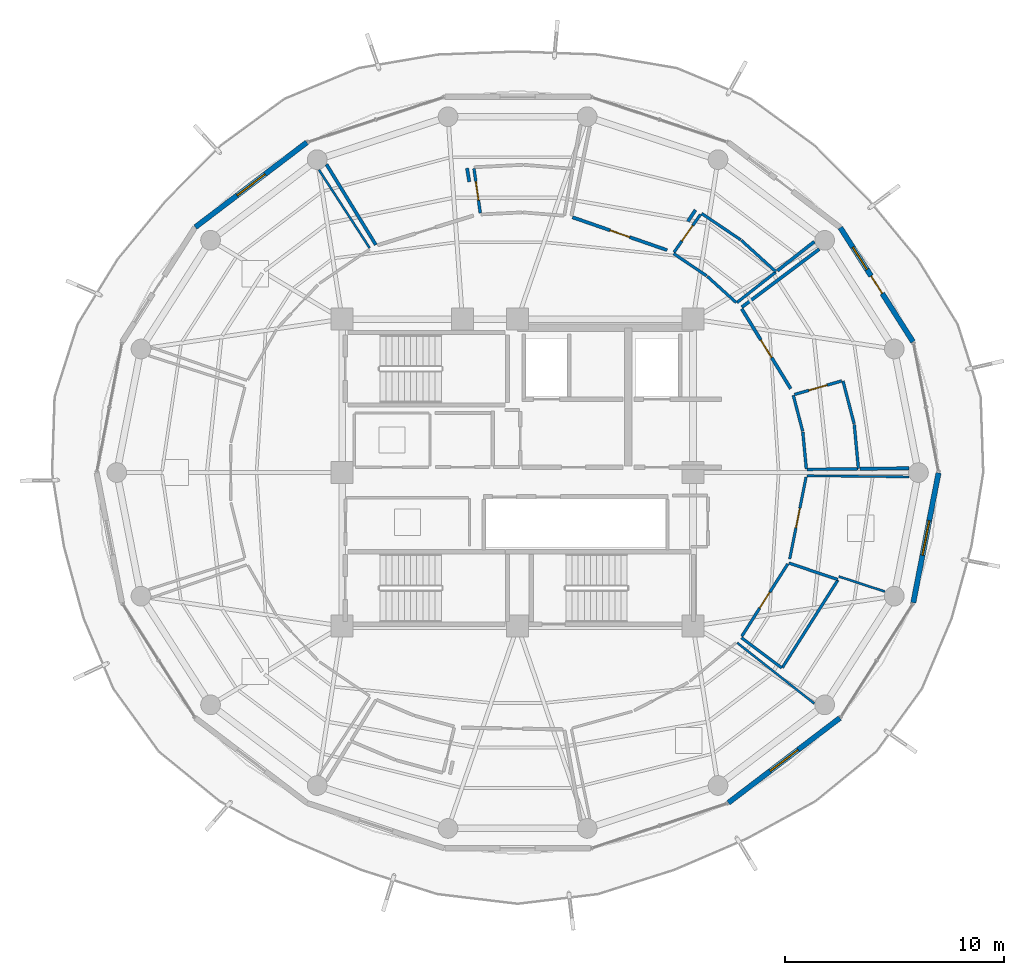
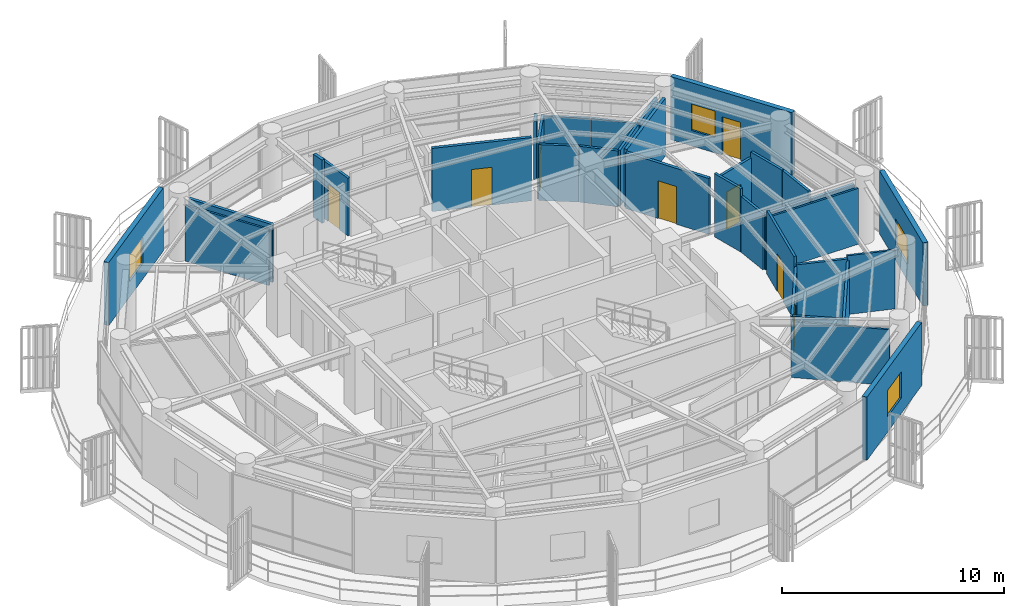
# One storey, part 18 of 23: 34 walls, 8 doors, 4 windows, 12 openings.
"""IFC4 building model written with IfcOpenShell, lengths in metres."""

from ifc_helpers import new_model, si_unit, direction, frame, frame_2d, origin, place, context, subcontext, project, spatial, rectangle, extrude, material, layer, layer_set, type_object, element, fill, save


model = new_model("IFC4")

# Units and contexts
model_context = context("Model", 3, precision=1e-05, world=origin(), true_north=direction((0.0, 1.0)))
body_context = subcontext(model_context, "Body", "Model", "MODEL_VIEW")
ifc_project = project(units=[si_unit("LENGTHUNIT", "METRE"), si_unit("AREAUNIT", "SQUARE_METRE"), si_unit("VOLUMEUNIT", "CUBIC_METRE"), si_unit("PLANEANGLEUNIT", "RADIAN"), si_unit("MASSUNIT", "GRAM", prefix="KILO")], contexts=[model_context])

# Site, building, storey
site_placement = place(None, origin())
site = spatial("IfcSite", under=ifc_project, at=site_placement, CompositionType="ELEMENT")
building_placement = place(site_placement, origin())
building = spatial("IfcBuilding", under=site, at=building_placement, Name="Kelanora Arch Commons", CompositionType="ELEMENT")
storey_placement = place(building_placement, frame((0.0, 0.0, 252.449951171875)))
storey = spatial("IfcBuildingStorey", under=building, at=storey_placement, Name="L64", CompositionType="ELEMENT", Elevation=252.449951171875)

# Wall, opening, door
ifc_material_1 = material(Name="Autoclaved aerated concrete blockwork with fire plaster", Category="masonry")
ifc_layer_1 = layer(ifc_material_1, 0.14990234375)
ifc_layer_set_1 = layer_set([ifc_layer_1], Name="Autoclaved aerated concrete blockwork with fire plaster")
wall_type_1 = type_object("IfcWallType", Name="W-COMP-150", PredefinedType="PARTITIONING", material=ifc_layer_set_1)
wall_1_placement = place(storey_placement, frame((86.45556640625, 61.82421875, 0.0), z_axis=(0.0, 0.0, 1.0), x_axis=(-0.522665227064, 0.852538011128, 0.0)))
wall_1 = element("IfcWall", 1, at=wall_1_placement, inside=storey, type_object=wall_type_1, Name="Co-Living Studio L64-01 Entry Partition", PredefinedType="PARTITIONING", context=body_context, shape_type="SweptSolid", body=[
    extrude(rectangle(XDim=4.272705078125, YDim=0.14990234375, at=frame_2d((2.13623046875, 0.0))), origin(), (0.0, 0.0, 1.0), 3.074951171875),
])
opening_1_placement = place(wall_1_placement, frame((1.660888671875, 0.0, 0.0)))
opening_1 = element("IfcOpeningElement", 2, at=opening_1_placement, cuts=wall_1, Name="Opening D-CLU1", PredefinedType="OPENING", context=body_context, shape_type="SweptSolid", body=[
    extrude(rectangle(XDim=0.949951171875, YDim=2.080078125, at=frame_2d((0.47509765625, 1.0400390625))), frame((0.0, 0.0849609375, 0.0), z_axis=(0.0, -1.0, 0.0), x_axis=(1.0, 0.0, 0.0)), (0.0, 0.0, 1.0), 0.169921875),
])
ifc_material_2 = material(Name="Solid-core acoustic timber cluster entry fire door", Category="wood")
door_type_1 = type_object("IfcDoorType", Name="D-CLU-95", OperationType="NOTDEFINED", PredefinedType="DOOR", material=ifc_material_2)
door_1_placement = place(opening_1_placement, origin())
door_1 = element("IfcDoor", 3, at=door_1_placement, inside=storey, type_object=door_type_1, Name="Co-Living Studio L64-01 Door", OperationType="SINGLE_SWING_RIGHT", OverallHeight=2.080078125, OverallWidth=0.949951171875, PredefinedType="DOOR", context=body_context, shape_type="SweptSolid", body=[
    extrude(rectangle(XDim=0.949951171875, YDim=2.080078125, at=frame_2d((0.47509765625, 1.0400390625))), frame((0.0, 0.02490234375, 0.0), z_axis=(0.0, -1.0, 0.0), x_axis=(1.0, 0.0, 0.0)), (0.0, 0.0, 1.0), 0.050048828125),
])
fill(opening_1, door_1)

wall_2_placement = place(storey_placement, frame((80.818359375, 68.144775390625, 0.0), z_axis=(0.0, 0.0, 1.0), x_axis=(-0.944627899296, 0.328143462331, 0.0)))
wall_2 = element("IfcWall", 4, at=wall_2_placement, inside=storey, type_object=wall_type_1, Name="Co-Living Studio L64-02 Entry Partition", PredefinedType="PARTITIONING", context=body_context, shape_type="SweptSolid", body=[
    extrude(rectangle(XDim=4.569580078125, YDim=0.14990234375, at=frame_2d((2.28466796875, 0.0))), origin(), (0.0, 0.0, 1.0), 3.47998046875),
])
opening_2_placement = place(wall_2_placement, frame((1.81005859375, 0.0, 0.0)))
opening_2 = element("IfcOpeningElement", 5, at=opening_2_placement, cuts=wall_2, Name="Opening D-CLU1", PredefinedType="OPENING", context=body_context, shape_type="SweptSolid", body=[
    extrude(rectangle(XDim=0.949951171875, YDim=2.080078125, at=frame_2d((0.47509765625, 1.0400390625))), frame((0.0, 0.0849609375, 0.0), z_axis=(0.0, -1.0, 0.0), x_axis=(1.0, 0.0, 0.0)), (0.0, 0.0, 1.0), 0.169921875),
])
door_2_placement = place(opening_2_placement, origin())
door_2 = element("IfcDoor", 6, at=door_2_placement, inside=storey, type_object=door_type_1, Name="Co-Living Studio L64-02 Door", OperationType="SINGLE_SWING_RIGHT", OverallHeight=2.080078125, OverallWidth=0.949951171875, PredefinedType="DOOR", context=body_context, shape_type="SweptSolid", body=[
    extrude(rectangle(XDim=0.949951171875, YDim=2.080078125, at=frame_2d((0.47509765625, 1.0400390625))), frame((0.0, 0.02490234375, 0.0), z_axis=(0.0, -1.0, 0.0), x_axis=(1.0, 0.0, 0.0)), (0.0, 0.0, 1.0), 0.050048828125),
])
fill(opening_2, door_2)

# Walls
wall_3_placement = place(storey_placement, frame((84.222900390625, 65.5419921875, 0.0), z_axis=(0.0, 0.0, 1.0), x_axis=(0.800384816546, 0.599486568191, 0.0)))
element("IfcWall", 7, at=wall_3_placement, inside=storey, type_object=wall_type_1, Name="Co-Living Studio L64-01 Enclosure Partition 2", PredefinedType="PARTITIONING", context=body_context, shape_type="SweptSolid", body=[
    extrude(rectangle(XDim=4.413818359375, YDim=0.14990234375, at=frame_2d((2.20703125, 0.0))), origin(), (0.0, 0.0, 1.0), 3.175048828125),
])
wall_4_placement = place(storey_placement, frame((91.847900390625, 58.197509765625, 0.0), z_axis=(0.0, 0.0, 1.0), x_axis=(-0.999936076373, -0.011306775263, 0.0)))
element("IfcWall", 8, at=wall_4_placement, inside=storey, type_object=wall_type_1, Name="Co-Living Studio L64-01 Enclosure Partition 5", PredefinedType="PARTITIONING", context=body_context, shape_type="SweptSolid", body=[
    extrude(rectangle(XDim=2.22412109375, YDim=0.14990234375, at=frame_2d((1.112060546875, 0.0))), origin(), (0.0, 0.0, 1.0), 3.074951171875),
])
wall_5_placement = place(storey_placement, frame((87.5322265625, 68.53271484375, 0.0), z_axis=(0.0, 0.0, 1.0), x_axis=(-0.785832073147, -0.618439934685, 0.0)))
element("IfcWall", 9, at=wall_5_placement, inside=storey, type_object=wall_type_1, Name="Co-Living Studio L64-02 Enclosure Partition 5", PredefinedType="PARTITIONING", context=body_context, shape_type="SweptSolid", body=[
    extrude(rectangle(XDim=2.14404296875, YDim=0.14990234375, at=frame_2d((1.072021484375, 0.0))), origin(), (0.0, 0.0, 1.0), 3.074951171875),
])
wall_6_placement = place(storey_placement, frame((82.11279296875, 69.976806640625, 0.0), z_axis=(0.0, 0.0, 1.0), x_axis=(-0.555598996852, -0.831450392204, 0.0)))
element("IfcWall", 10, at=wall_6_placement, inside=storey, type_object=wall_type_1, Name="Co-Living Studio L64-02 Enclosure Partition 7", PredefinedType="PARTITIONING", context=body_context, shape_type="SweptSolid", body=[
    extrude(rectangle(XDim=0.626708984375, YDim=0.14990234375, at=frame_2d((0.3134765625, 0.0))), origin(), (0.0, 0.0, 1.0), 3.175048828125),
])
wall_7_placement = place(storey_placement, frame((67.5341796875, 68.385009765625, 0.0), z_axis=(0.0, 0.0, 1.0), x_axis=(-0.522784059663, 0.852465147066, 0.0)))
element("IfcWall", 11, at=wall_7_placement, inside=storey, type_object=wall_type_1, Name="Co-Living Studio L64-03 Enclosure Partition 2", PredefinedType="PARTITIONING", context=body_context, shape_type="SweptSolid", body=[
    extrude(rectangle(XDim=4.30615234375, YDim=0.14990234375, at=frame_2d((2.153076171875, 0.0))), origin(), (0.0, 0.0, 1.0), 3.175048828125),
])
wall_8_placement = place(storey_placement, frame((71.693603515625, 71.884521484375, 0.0), z_axis=(0.0, 0.0, 1.0), x_axis=(0.162139500997, -0.986767846161, 0.0)))
element("IfcWall", 12, at=wall_8_placement, inside=storey, type_object=wall_type_1, Name="Co-Living Studio L64-03 Enclosure Partition 7", PredefinedType="PARTITIONING", context=body_context, shape_type="SweptSolid", body=[
    extrude(rectangle(XDim=0.630859375, YDim=0.14990234375, at=frame_2d((0.3154296875, 0.0))), origin(), (0.0, 0.0, 1.0), 3.47998046875),
])

# Wall, openings, door, window
ifc_material_3 = material(Name="Precast concrete C40/50 upper-zone terracotta rainscreen", Category="masonry")
ifc_layer_2 = layer(ifc_material_3, 0.239990234375)
ifc_layer_set_2 = layer_set([ifc_layer_2], Name="Precast concrete C40/50 upper-zone terracotta rainscreen")
wall_type_2 = type_object("IfcWallType", Name="W-EXT-TC2", PredefinedType="SOLIDWALL", material=ifc_layer_set_2)
wall_9_placement = place(storey_placement, frame((92.033935546875, 63.9638671875, 0.0), z_axis=(0.0, 0.0, 1.0), x_axis=(-0.537271968456, 0.843409053728, 0.0)))
wall_9 = element("IfcWall", 13, at=wall_9_placement, inside=storey, type_object=wall_type_2, Name="Terracotta Exterior Wall L64-B01", PredefinedType="SOLIDWALL", context=body_context, shape_type="SweptSolid", body=[
    extrude(rectangle(XDim=6.175048828125, YDim=0.239990234375, at=frame_2d((3.08740234375, 0.0))), origin(), (0.0, 0.0, 1.0), 3.47509765625),
])
opening_3_placement = place(wall_9_placement, frame((2.613037109375, 0.0, 0.0)))
opening_3 = element("IfcOpeningElement", 14, at=opening_3_placement, cuts=wall_9, Name="Opening DB-01", PredefinedType="OPENING", context=body_context, shape_type="SweptSolid", body=[
    extrude(rectangle(XDim=0.949951171875, YDim=2.10009765625, at=frame_2d((0.47509765625, 1.050048828125))), frame((0.0, 0.1298828125, 0.0), z_axis=(0.0, -1.0, 0.0), x_axis=(1.0, 0.0, 0.0)), (0.0, 0.0, 1.0), 0.260009765625),
])
opening_4_placement = place(wall_9_placement, frame((3.9130859375, 0.0, 0.85009765625)))
opening_4 = element("IfcOpeningElement", 15, at=opening_4_placement, cuts=wall_9, Name="Opening WN-02", PredefinedType="OPENING", context=body_context, shape_type="SweptSolid", body=[
    extrude(rectangle(XDim=1.199951171875, YDim=1.449951171875, at=frame_2d((0.60009765625, 0.72509765625))), frame((0.0, 0.1298828125, 0.0), z_axis=(0.0, -1.0, 0.0), x_axis=(1.0, 0.0, 0.0)), (0.0, 0.0, 1.0), 0.260009765625),
])
ifc_material_4 = material(Name="Terracotta-aluminium thermally broken glazed balcony door", Category="masonry")
door_type_2 = type_object("IfcDoorType", Name="D-BAL-10", OperationType="NOTDEFINED", PredefinedType="DOOR", material=ifc_material_4)
door_3_placement = place(opening_3_placement, frame((0.949951171875, 0.0, 0.0), z_axis=(0.0, 0.0, 1.0), x_axis=(-1.0, 0.0, 0.0)))
door_3 = element("IfcDoor", 16, at=door_3_placement, inside=storey, type_object=door_type_2, Name="Wave Balcony Door L64-B01", OperationType="SINGLE_SWING_RIGHT", OverallHeight=2.10009765625, OverallWidth=0.949951171875, PredefinedType="DOOR", context=body_context, shape_type="SweptSolid", body=[
    extrude(rectangle(XDim=0.949951171875, YDim=2.10009765625, at=frame_2d((0.47509765625, 1.050048828125))), frame((0.0, 0.02490234375, 0.0), z_axis=(0.0, -1.0, 0.0), x_axis=(1.0, 0.0, 0.0)), (0.0, 0.0, 1.0), 0.050048828125),
])
fill(opening_3, door_3)
ifc_material_5 = material(Name="Terracotta-anodised aluminium frame with operable awning sash", Category="masonry")
window_type_1 = type_object("IfcWindowType", Name="WIN-CL-12", PartitioningType="SINGLE_PANEL", PredefinedType="WINDOW", material=ifc_material_5)
window_1_placement = place(opening_4_placement, origin())
window_1 = element("IfcWindow", 17, at=window_1_placement, inside=storey, type_object=window_type_1, Name="Co-Living Operable Window L64-B01", OverallHeight=1.449951171875, OverallWidth=1.199951171875, PartitioningType="SINGLE_PANEL", PredefinedType="WINDOW", context=body_context, shape_type="SweptSolid", body=[
    extrude(rectangle(XDim=1.199951171875, YDim=1.449951171875, at=frame_2d((0.60009765625, 0.72509765625))), frame((0.0, 0.030029296875, 0.0), z_axis=(0.0, -1.0, 0.0), x_axis=(1.0, 0.0, 0.0)), (0.0, 0.0, 1.0), 0.06005859375),
])
fill(opening_4, window_1)

# Wall, opening, window
wall_10_placement = place(storey_placement, frame((64.38818359375, 73.059814453125, 0.0), z_axis=(0.0, 0.0, 1.0), x_axis=(-0.796010444211, -0.605282886514, 0.0)))
wall_10 = element("IfcWall", 18, at=wall_10_placement, inside=storey, type_object=wall_type_2, Name="Terracotta Exterior Wall L64-B06", PredefinedType="SOLIDWALL", context=body_context, shape_type="SweptSolid", body=[
    extrude(rectangle(XDim=6.387451171875, YDim=0.239990234375, at=frame_2d((3.19384765625, 0.0))), origin(), (0.0, 0.0, 1.0), 3.47509765625),
])
opening_5_placement = place(wall_10_placement, frame((2.39404296875, 0.0, 0.85009765625)))
opening_5 = element("IfcOpeningElement", 19, at=opening_5_placement, cuts=wall_10, Name="Opening WN-01", PredefinedType="OPENING", context=body_context, shape_type="SweptSolid", body=[
    extrude(rectangle(XDim=1.60009765625, YDim=1.449951171875, at=frame_2d((0.800048828125, 0.72509765625))), frame((0.0, 0.1298828125, 0.0), z_axis=(0.0, -1.0, 0.0), x_axis=(1.0, 0.0, 0.0)), (0.0, 0.0, 1.0), 0.260009765625),
])
ifc_material_6 = material(Name="Terracotta-anodised aluminium frame with operable low-E glazing", Category="masonry")
window_type_2 = type_object("IfcWindowType", Name="WIN-CL-18", PartitioningType="DOUBLE_PANEL_VERTICAL", PredefinedType="WINDOW", material=ifc_material_6)
window_2_placement = place(opening_5_placement, origin())
window_2 = element("IfcWindow", 20, at=window_2_placement, inside=storey, type_object=window_type_2, Name="Co-Living Operable Window L64-B06", OverallHeight=1.449951171875, OverallWidth=1.60009765625, PartitioningType="SINGLE_PANEL", PredefinedType="WINDOW", context=body_context, shape_type="SweptSolid", body=[
    extrude(rectangle(XDim=1.60009765625, YDim=1.449951171875, at=frame_2d((0.800048828125, 0.72509765625))), frame((0.0, 0.030029296875, 0.0), z_axis=(0.0, -1.0, 0.0), x_axis=(1.0, 0.0, 0.0)), (0.0, 0.0, 1.0), 0.06005859375),
])
fill(opening_5, window_2)

wall_11_placement = place(storey_placement, frame((83.61181640625, 42.940185546875, 0.0), z_axis=(0.0, 0.0, 1.0), x_axis=(0.796010444211, 0.605282886514, 0.0)))
wall_11 = element("IfcWall", 21, at=wall_11_placement, inside=storey, type_object=wall_type_2, Name="Terracotta Exterior Wall L64-B15", PredefinedType="SOLIDWALL", context=body_context, shape_type="SweptSolid", body=[
    extrude(rectangle(XDim=6.387451171875, YDim=0.239990234375, at=frame_2d((3.19384765625, 0.0))), origin(), (0.0, 0.0, 1.0), 3.47509765625),
])
opening_6_placement = place(wall_11_placement, frame((2.39404296875, 0.0, 0.85009765625)))
opening_6 = element("IfcOpeningElement", 22, at=opening_6_placement, cuts=wall_11, Name="Opening WN-01", PredefinedType="OPENING", context=body_context, shape_type="SweptSolid", body=[
    extrude(rectangle(XDim=1.60009765625, YDim=1.449951171875, at=frame_2d((0.800048828125, 0.72509765625))), frame((0.0, 0.1298828125, 0.0), z_axis=(0.0, -1.0, 0.0), x_axis=(1.0, 0.0, 0.0)), (0.0, 0.0, 1.0), 0.260009765625),
])
window_3_placement = place(opening_6_placement, origin())
window_3 = element("IfcWindow", 23, at=window_3_placement, inside=storey, type_object=window_type_2, Name="Co-Living Operable Window L64-B15", OverallHeight=1.449951171875, OverallWidth=1.60009765625, PartitioningType="SINGLE_PANEL", PredefinedType="WINDOW", context=body_context, shape_type="SweptSolid", body=[
    extrude(rectangle(XDim=1.60009765625, YDim=1.449951171875, at=frame_2d((0.800048828125, 0.72509765625))), frame((0.0, 0.030029296875, 0.0), z_axis=(0.0, -1.0, 0.0), x_axis=(1.0, 0.0, 0.0)), (0.0, 0.0, 1.0), 0.06005859375),
])
fill(opening_6, window_3)

wall_12_placement = place(storey_placement, frame((92.044921875, 52.0634765625, 0.0), z_axis=(0.0, 0.0, 1.0), x_axis=(0.190969309115, 0.981596008028, 0.0)))
wall_12 = element("IfcWall", 24, at=wall_12_placement, inside=storey, type_object=wall_type_2, Name="Terracotta Exterior Wall L64-B17", PredefinedType="SOLIDWALL", context=body_context, shape_type="SweptSolid", body=[
    extrude(rectangle(XDim=6.032958984375, YDim=0.239990234375, at=frame_2d((3.0166015625, 0.0))), origin(), (0.0, 0.0, 1.0), 3.47509765625),
])
opening_7_placement = place(wall_12_placement, frame((2.216064453125, 0.0, 0.85009765625)))
opening_7 = element("IfcOpeningElement", 25, at=opening_7_placement, cuts=wall_12, Name="Opening WN-01", PredefinedType="OPENING", context=body_context, shape_type="SweptSolid", body=[
    extrude(rectangle(XDim=1.60009765625, YDim=1.449951171875, at=frame_2d((0.800048828125, 0.72509765625))), frame((0.0, 0.1298828125, 0.0), z_axis=(0.0, -1.0, 0.0), x_axis=(1.0, 0.0, 0.0)), (0.0, 0.0, 1.0), 0.260009765625),
])
window_4_placement = place(opening_7_placement, origin())
window_4 = element("IfcWindow", 26, at=window_4_placement, inside=storey, type_object=window_type_2, Name="Co-Living Operable Window L64-B17", OverallHeight=1.449951171875, OverallWidth=1.60009765625, PartitioningType="SINGLE_PANEL", PredefinedType="WINDOW", context=body_context, shape_type="SweptSolid", body=[
    extrude(rectangle(XDim=1.60009765625, YDim=1.449951171875, at=frame_2d((0.800048828125, 0.72509765625))), frame((0.0, 0.030029296875, 0.0), z_axis=(0.0, -1.0, 0.0), x_axis=(1.0, 0.0, 0.0)), (0.0, 0.0, 1.0), 0.06005859375),
])
fill(opening_7, window_4)

# Walls
ifc_material_7 = material(Name="Lightweight fire-rated acoustic stud partition")
ifc_layer_3 = layer(ifc_material_7, 0.10009765625)
ifc_layer_set_3 = layer_set([ifc_layer_3], Name="Lightweight fire-rated acoustic stud partition")
wall_type_3 = type_object("IfcWallType", Name="W-PART-100", PredefinedType="PARTITIONING", material=ifc_layer_set_3)
wall_13_placement = place(storey_placement, frame((64.941650390625, 71.80419921875, 0.0), z_axis=(0.0, 0.0, 1.0), x_axis=(0.544234825024, -0.838932926539, 0.0)))
element("IfcWall", 27, at=wall_13_placement, inside=storey, type_object=wall_type_3, Name="Communal Dining and Social Hall L64-04 Enclosure Partition 8", PredefinedType="PARTITIONING", context=body_context, shape_type="SweptSolid", body=[
    extrude(rectangle(XDim=4.2490234375, YDim=0.10009765625, at=frame_2d((2.12451171875, 0.0))), origin(), (0.0, 0.0, 1.0), 3.074951171875),
])
wall_14_placement = place(storey_placement, frame((84.016357421875, 50.2353515625, 0.0), z_axis=(0.0, 0.0, 1.0), x_axis=(0.785736749878, -0.618561039745, 0.0)))
element("IfcWall", 28, at=wall_14_placement, inside=storey, type_object=wall_type_3, Name="Communal Dining and Social Hall L64-08 Enclosure Partition 4", PredefinedType="PARTITIONING", context=body_context, shape_type="SweptSolid", body=[
    extrude(rectangle(XDim=4.474609375, YDim=0.10009765625, at=frame_2d((2.2373046875, 0.0))), origin(), (0.0, 0.0, 1.0), 3.074951171875),
])
wall_15_placement = place(storey_placement, frame((87.208984375, 57.8544921875, 0.0), z_axis=(0.0, 0.0, 1.0), x_axis=(0.999937174585, -0.01120923205, 0.0)))
element("IfcWall", 29, at=wall_15_placement, inside=storey, type_object=wall_type_3, Name="Tutorial Study Alcove L64-09 Enclosure Partition 2", PredefinedType="PARTITIONING", context=body_context, shape_type="SweptSolid", body=[
    extrude(rectangle(XDim=4.63916015625, YDim=0.10009765625, at=frame_2d((2.319580078125, 0.0))), origin(), (0.0, 0.0, 1.0), 3.074951171875),
])
wall_16_placement = place(storey_placement, frame((90.751220703125, 52.572998046875, 0.0), z_axis=(0.0, 0.0, 1.0), x_axis=(-0.950301719956, 0.311330437073, 0.0)))
element("IfcWall", 30, at=wall_16_placement, inside=storey, type_object=wall_type_3, Name="Tutorial Study Alcove L64-09 Enclosure Partition 4", PredefinedType="PARTITIONING", context=body_context, shape_type="SweptSolid", body=[
    extrude(rectangle(XDim=2.21533203125, YDim=0.10009765625, at=frame_2d((1.107666015625, 0.0))), origin(), (0.0, 0.0, 1.0), 3.235107421875),
])

# Wall, opening, door
ifc_material_8 = material(Name="Acoustic twin-stud fire-rated gypsum partition")
ifc_layer_4 = layer(ifc_material_8, 0.1201171875)
ifc_layer_set_4 = layer_set([ifc_layer_4], Name="Acoustic twin-stud fire-rated gypsum partition")
wall_type_4 = type_object("IfcWallType", Name="W-PART-120", PredefinedType="PARTITIONING", material=ifc_layer_set_4)
wall_17_placement = place(storey_placement, frame((86.41064453125, 54.057861328125, 0.0), z_axis=(0.0, 0.0, 1.0), x_axis=(0.195845174173, 0.980634828952, 0.0)))
wall_17 = element("IfcWall", 31, at=wall_17_placement, inside=storey, type_object=wall_type_4, Name="Tutorial Study Alcove L64-09 Entry Partition", PredefinedType="PARTITIONING", context=body_context, shape_type="SweptSolid", body=[
    extrude(rectangle(XDim=3.81201171875, YDim=0.1201171875, at=frame_2d((1.906005859375, 0.0))), origin(), (0.0, 0.0, 1.0), 3.47998046875),
])
opening_8_placement = place(wall_17_placement, frame((1.4560546875, 0.0, 0.0)))
opening_8 = element("IfcOpeningElement", 32, at=opening_8_placement, cuts=wall_17, Name="Opening D-RM1", PredefinedType="OPENING", context=body_context, shape_type="SweptSolid", body=[
    extrude(rectangle(XDim=0.89990234375, YDim=2.080078125, at=frame_2d((0.449951171875, 1.0400390625))), frame((0.0, 0.070068359375, 0.0), z_axis=(0.0, -1.0, 0.0), x_axis=(1.0, 0.0, 0.0)), (0.0, 0.0, 1.0), 0.14013671875),
])
ifc_material_9 = material(Name="Acoustic fire-rated timber study and lounge door", Category="wood")
door_type_3 = type_object("IfcDoorType", Name="D-ROOM-90", OperationType="NOTDEFINED", PredefinedType="DOOR", material=ifc_material_9)
door_4_placement = place(opening_8_placement, origin())
door_4 = element("IfcDoor", 33, at=door_4_placement, inside=storey, type_object=door_type_3, Name="Tutorial Study Alcove L64-09 Door", OperationType="SINGLE_SWING_RIGHT", OverallHeight=2.080078125, OverallWidth=0.89990234375, PredefinedType="DOOR", context=body_context, shape_type="SweptSolid", body=[
    extrude(rectangle(XDim=0.89990234375, YDim=2.080078125, at=frame_2d((0.449951171875, 1.0400390625))), frame((0.0, 0.02490234375, 0.0), z_axis=(0.0, -1.0, 0.0), x_axis=(1.0, 0.0, 0.0)), (0.0, 0.0, 1.0), 0.050048828125),
])
fill(opening_8, door_4)

ifc_material_10 = material(Name="Moisture-resistant fire-rated cement-board plumbing wall")
ifc_layer_5 = layer(ifc_material_10, 0.1298828125)
ifc_layer_set_5 = layer_set([ifc_layer_5], Name="Moisture-resistant fire-rated cement-board plumbing wall")
wall_type_5 = type_object("IfcWallType", Name="W-WET-120", PredefinedType="PLUMBINGWALL", material=ifc_layer_set_5)
wall_18_placement = place(storey_placement, frame((86.625732421875, 61.5625, 0.0), z_axis=(0.0, 0.0, 1.0), x_axis=(0.961379738838, 0.275225358117, 0.0)))
wall_18 = element("IfcWall", 34, at=wall_18_placement, inside=storey, type_object=wall_type_5, Name="En-Suite Shower WC L64-01 Entry Partition", PredefinedType="PLUMBINGWALL", context=body_context, shape_type="SweptSolid", body=[
    extrude(rectangle(XDim=2.238037109375, YDim=0.1298828125, at=frame_2d((1.119140625, 0.0))), origin(), (0.0, 0.0, 1.0), 3.175048828125),
])
opening_9_placement = place(wall_18_placement, frame((0.68896484375, 0.0, 0.0)))
opening_9 = element("IfcOpeningElement", 35, at=opening_9_placement, cuts=wall_18, Name="Opening D-BT1", PredefinedType="OPENING", context=body_context, shape_type="SweptSolid", body=[
    extrude(rectangle(XDim=0.860107421875, YDim=2.050048828125, at=frame_2d((0.43017578125, 1.02490234375))), frame((0.0, 0.074951171875, 0.0), z_axis=(0.0, -1.0, 0.0), x_axis=(1.0, 0.0, 0.0)), (0.0, 0.0, 1.0), 0.14990234375),
])
ifc_material_11 = material(Name="Moisture-sealed fire-rated accessible bathroom door")
door_type_4 = type_object("IfcDoorType", Name="D-BATH-85", OperationType="NOTDEFINED", PredefinedType="DOOR", material=ifc_material_11)
door_5_placement = place(opening_9_placement, origin())
door_5 = element("IfcDoor", 36, at=door_5_placement, inside=storey, type_object=door_type_4, Name="En-Suite Shower WC L64-01 Door", OperationType="SINGLE_SWING_LEFT", OverallHeight=2.050048828125, OverallWidth=0.860107421875, PredefinedType="DOOR", context=body_context, shape_type="SweptSolid", body=[
    extrude(rectangle(XDim=0.860107421875, YDim=2.050048828125, at=frame_2d((0.43017578125, 1.02490234375))), frame((0.0, 0.02490234375, 0.0), z_axis=(0.0, -1.0, 0.0), x_axis=(1.0, 0.0, 0.0)), (0.0, 0.0, 1.0), 0.050048828125),
])
fill(opening_9, door_5)

wall_19_placement = place(storey_placement, frame((81.13330078125, 68.047119140625, 0.0), z_axis=(0.0, 0.0, 1.0), x_axis=(0.573578732096, 0.819150436787, 0.0)))
wall_19 = element("IfcWall", 37, at=wall_19_placement, inside=storey, type_object=wall_type_5, Name="En-Suite Shower WC L64-02 Entry Partition", PredefinedType="PLUMBINGWALL", context=body_context, shape_type="SweptSolid", body=[
    extrude(rectangle(XDim=2.111572265625, YDim=0.1298828125, at=frame_2d((1.0556640625, 0.0))), origin(), (0.0, 0.0, 1.0), 3.175048828125),
])
opening_10_placement = place(wall_19_placement, frame((0.6259765625, 0.0, 0.0)))
opening_10 = element("IfcOpeningElement", 38, at=opening_10_placement, cuts=wall_19, Name="Opening D-BT1", PredefinedType="OPENING", context=body_context, shape_type="SweptSolid", body=[
    extrude(rectangle(XDim=0.860107421875, YDim=2.050048828125, at=frame_2d((0.43017578125, 1.02490234375))), frame((0.0, 0.074951171875, 0.0), z_axis=(0.0, -1.0, 0.0), x_axis=(1.0, 0.0, 0.0)), (0.0, 0.0, 1.0), 0.14990234375),
])
door_6_placement = place(opening_10_placement, origin())
door_6 = element("IfcDoor", 39, at=door_6_placement, inside=storey, type_object=door_type_4, Name="En-Suite Shower WC L64-02 Door", OperationType="SINGLE_SWING_LEFT", OverallHeight=2.050048828125, OverallWidth=0.860107421875, PredefinedType="DOOR", context=body_context, shape_type="SweptSolid", body=[
    extrude(rectangle(XDim=0.860107421875, YDim=2.050048828125, at=frame_2d((0.43017578125, 1.02490234375))), frame((0.0, 0.02490234375, 0.0), z_axis=(0.0, -1.0, 0.0), x_axis=(1.0, 0.0, 0.0)), (0.0, 0.0, 1.0), 0.050048828125),
])
fill(opening_10, door_6)

wall_20_placement = place(storey_placement, frame((72.298583984375, 69.831298828125, 0.0), z_axis=(0.0, 0.0, 1.0), x_axis=(-0.14028943716, 0.990110536163, 0.0)))
wall_20 = element("IfcWall", 40, at=wall_20_placement, inside=storey, type_object=wall_type_5, Name="En-Suite Shower WC L64-03 Entry Partition", PredefinedType="PLUMBINGWALL", context=body_context, shape_type="SweptSolid", body=[
    extrude(rectangle(XDim=2.053466796875, YDim=0.1298828125, at=frame_2d((1.02685546875, 0.0))), origin(), (0.0, 0.0, 1.0), 3.175048828125),
])
opening_11_placement = place(wall_20_placement, frame((0.596923828125, 0.0, 0.0)))
opening_11 = element("IfcOpeningElement", 41, at=opening_11_placement, cuts=wall_20, Name="Opening D-BT1", PredefinedType="OPENING", context=body_context, shape_type="SweptSolid", body=[
    extrude(rectangle(XDim=0.860107421875, YDim=2.050048828125, at=frame_2d((0.43017578125, 1.02490234375))), frame((0.0, 0.074951171875, 0.0), z_axis=(0.0, -1.0, 0.0), x_axis=(1.0, 0.0, 0.0)), (0.0, 0.0, 1.0), 0.14990234375),
])
door_7_placement = place(opening_11_placement, origin())
door_7 = element("IfcDoor", 42, at=door_7_placement, inside=storey, type_object=door_type_4, Name="En-Suite Shower WC L64-03 Door", OperationType="SINGLE_SWING_LEFT", OverallHeight=2.050048828125, OverallWidth=0.860107421875, PredefinedType="DOOR", context=body_context, shape_type="SweptSolid", body=[
    extrude(rectangle(XDim=0.860107421875, YDim=2.050048828125, at=frame_2d((0.43017578125, 1.02490234375))), frame((0.0, 0.02490234375, 0.0), z_axis=(0.0, -1.0, 0.0), x_axis=(1.0, 0.0, 0.0)), (0.0, 0.0, 1.0), 0.050048828125),
])
fill(opening_11, door_7)

wall_21_placement = place(storey_placement, frame((84.22314453125, 50.53271484375, 0.0), z_axis=(0.0, 0.0, 1.0), x_axis=(0.536434868975, 0.84394172272, 0.0)))
wall_21 = element("IfcWall", 43, at=wall_21_placement, inside=storey, type_object=wall_type_5, Name="Accessible Shared Floor WC L64-09 Entry Partition", PredefinedType="PLUMBINGWALL", context=body_context, shape_type="SweptSolid", body=[
    extrude(rectangle(XDim=3.908447265625, YDim=0.1298828125, at=frame_2d((1.9541015625, 0.0))), origin(), (0.0, 0.0, 1.0), 3.074951171875),
])
opening_12_placement = place(wall_21_placement, frame((1.52392578125, 0.0, 0.0)))
opening_12 = element("IfcOpeningElement", 44, at=opening_12_placement, cuts=wall_21, Name="Opening D-BT1", PredefinedType="OPENING", context=body_context, shape_type="SweptSolid", body=[
    extrude(rectangle(XDim=0.860107421875, YDim=2.050048828125, at=frame_2d((0.43017578125, 1.02490234375))), frame((0.0, 0.074951171875, 0.0), z_axis=(0.0, -1.0, 0.0), x_axis=(1.0, 0.0, 0.0)), (0.0, 0.0, 1.0), 0.14990234375),
])
door_8_placement = place(opening_12_placement, origin())
door_8 = element("IfcDoor", 45, at=door_8_placement, inside=storey, type_object=door_type_4, Name="Accessible Shared Floor WC L64-09 Door", OperationType="SINGLE_SWING_LEFT", OverallHeight=2.050048828125, OverallWidth=0.860107421875, PredefinedType="DOOR", context=body_context, shape_type="SweptSolid", body=[
    extrude(rectangle(XDim=0.860107421875, YDim=2.050048828125, at=frame_2d((0.43017578125, 1.02490234375))), frame((0.0, 0.02490234375, 0.0), z_axis=(0.0, -1.0, 0.0), x_axis=(1.0, 0.0, 0.0)), (0.0, 0.0, 1.0), 0.050048828125),
])
fill(opening_12, door_8)

# Walls
wall_22_placement = place(storey_placement, frame((87.1669921875, 58.164794921875, 0.0), z_axis=(0.0, 0.0, 1.0), x_axis=(-0.094303984979, 0.995543448784, 0.0)))
element("IfcWall", 46, at=wall_22_placement, inside=storey, type_object=wall_type_5, Name="En-Suite Shower WC L64-01 Enclosure Partition 1", PredefinedType="PLUMBINGWALL", context=body_context, shape_type="SweptSolid", body=[
    extrude(rectangle(XDim=1.68798828125, YDim=0.1298828125, at=frame_2d((0.843994140625, 0.0))), origin(), (0.0, 0.0, 1.0), 3.074951171875),
])
wall_23_placement = place(storey_placement, frame((87.0009765625, 59.884521484375, 0.0), z_axis=(0.0, 0.0, 1.0), x_axis=(-0.252205193656, 0.967673777826, 0.0)))
element("IfcWall", 47, at=wall_23_placement, inside=storey, type_object=wall_type_5, Name="En-Suite Shower WC L64-01 Enclosure Partition 2", PredefinedType="PLUMBINGWALL", context=body_context, shape_type="SweptSolid", body=[
    extrude(rectangle(XDim=1.697021484375, YDim=0.1298828125, at=frame_2d((0.8486328125, 0.0))), origin(), (0.0, 0.0, 1.0), 3.47998046875),
])
wall_24_placement = place(storey_placement, frame((88.840087890625, 62.175537109375, 0.0), z_axis=(0.0, 0.0, 1.0), x_axis=(0.251652018774, -0.967817783184, 0.0)))
element("IfcWall", 48, at=wall_24_placement, inside=storey, type_object=wall_type_5, Name="En-Suite Shower WC L64-01 Enclosure Partition 4", PredefinedType="PLUMBINGWALL", context=body_context, shape_type="SweptSolid", body=[
    extrude(rectangle(XDim=2.013916015625, YDim=0.1298828125, at=frame_2d((1.0068359375, 0.0))), origin(), (0.0, 0.0, 1.0), 3.47998046875),
])
wall_25_placement = place(storey_placement, frame((89.35400390625, 60.18701171875, 0.0), z_axis=(0.0, 0.0, 1.0), x_axis=(0.09380867442, -0.995590243325, 0.0)))
element("IfcWall", 49, at=wall_25_placement, inside=storey, type_object=wall_type_5, Name="En-Suite Shower WC L64-01 Enclosure Partition 5", PredefinedType="PLUMBINGWALL", context=body_context, shape_type="SweptSolid", body=[
    extrude(rectangle(XDim=2.00390625, YDim=0.1298828125, at=frame_2d((1.001953125, 0.0))), origin(), (0.0, 0.0, 1.0), 3.47998046875),
])
wall_26_placement = place(storey_placement, frame((89.52392578125, 58.171875, 0.0), z_axis=(0.0, 0.0, 1.0), x_axis=(-0.999935061604, -0.011396164964, 0.0)))
element("IfcWall", 50, at=wall_26_placement, inside=storey, type_object=wall_type_5, Name="En-Suite Shower WC L64-01 Enclosure Partition 6", PredefinedType="PLUMBINGWALL", context=body_context, shape_type="SweptSolid", body=[
    extrude(rectangle(XDim=2.335205078125, YDim=0.1298828125, at=frame_2d((1.16748046875, 0.0))), origin(), (0.0, 0.0, 1.0), 3.074951171875),
])
wall_27_placement = place(storey_placement, frame((83.97021484375, 65.75341796875, 0.0), z_axis=(0.0, 0.0, 1.0), x_axis=(-0.741337974143, 0.671131885767, 0.0)))
element("IfcWall", 51, at=wall_27_placement, inside=storey, type_object=wall_type_5, Name="En-Suite Shower WC L64-02 Enclosure Partition 1", PredefinedType="PLUMBINGWALL", context=body_context, shape_type="SweptSolid", body=[
    extrude(rectangle(XDim=1.783935546875, YDim=0.1298828125, at=frame_2d((0.89208984375, 0.0))), origin(), (0.0, 0.0, 1.0), 3.074951171875),
])
wall_28_placement = place(storey_placement, frame((82.616455078125, 66.97509765625, 0.0), z_axis=(0.0, 0.0, 1.0), x_axis=(-0.82921750612, 0.558926048367, 0.0)))
element("IfcWall", 52, at=wall_28_placement, inside=storey, type_object=wall_type_5, Name="En-Suite Shower WC L64-02 Enclosure Partition 2", PredefinedType="PLUMBINGWALL", context=body_context, shape_type="SweptSolid", body=[
    extrude(rectangle(XDim=1.81005859375, YDim=0.1298828125, at=frame_2d((0.905029296875, 0.0))), origin(), (0.0, 0.0, 1.0), 3.074951171875),
])
wall_29_placement = place(storey_placement, frame((82.3955078125, 69.814697265625, 0.0), z_axis=(0.0, 0.0, 1.0), x_axis=(0.828761584291, -0.559601855254, 0.0)))
element("IfcWall", 53, at=wall_29_placement, inside=storey, type_object=wall_type_5, Name="En-Suite Shower WC L64-02 Enclosure Partition 4", PredefinedType="PLUMBINGWALL", context=body_context, shape_type="SweptSolid", body=[
    extrude(rectangle(XDim=2.145263671875, YDim=0.1298828125, at=frame_2d((1.07275390625, 0.0))), origin(), (0.0, 0.0, 1.0), 3.074951171875),
])
wall_30_placement = place(storey_placement, frame((84.204833984375, 68.589599609375, 0.0), z_axis=(0.0, 0.0, 1.0), x_axis=(0.740404918602, -0.672161109043, 0.0)))
element("IfcWall", 54, at=wall_30_placement, inside=storey, type_object=wall_type_5, Name="En-Suite Shower WC L64-02 Enclosure Partition 5", PredefinedType="PLUMBINGWALL", context=body_context, shape_type="SweptSolid", body=[
    extrude(rectangle(XDim=2.1142578125, YDim=0.1298828125, at=frame_2d((1.05712890625, 0.0))), origin(), (0.0, 0.0, 1.0), 3.074951171875),
])
wall_31_placement = place(storey_placement, frame((85.769287109375, 67.142578125, 0.0), z_axis=(0.0, 0.0, 1.0), x_axis=(-0.786197810061, -0.617974921381, 0.0)))
element("IfcWall", 55, at=wall_31_placement, inside=storey, type_object=wall_type_5, Name="En-Suite Shower WC L64-02 Enclosure Partition 6", PredefinedType="PLUMBINGWALL", context=body_context, shape_type="SweptSolid", body=[
    extrude(rectangle(XDim=2.24951171875, YDim=0.1298828125, at=frame_2d((1.124755859375, 0.0))), origin(), (0.0, 0.0, 1.0), 3.074951171875),
])
wall_32_placement = place(storey_placement, frame((86.370849609375, 53.87548828125, 0.0), z_axis=(0.0, 0.0, 1.0), x_axis=(0.947177643747, -0.320709387431, 0.0)))
element("IfcWall", 56, at=wall_32_placement, inside=storey, type_object=wall_type_5, Name="Accessible Shared Floor WC L64-09 Enclosure Partition 2", PredefinedType="PLUMBINGWALL", context=body_context, shape_type="SweptSolid", body=[
    extrude(rectangle(XDim=2.3515625, YDim=0.1298828125, at=frame_2d((1.17578125, 0.0))), origin(), (0.0, 0.0, 1.0), 3.175048828125),
])
wall_33_placement = place(storey_placement, frame((88.606201171875, 53.09814453125, 0.0), z_axis=(0.0, 0.0, 1.0), x_axis=(-0.535433501212, -0.844577388864, 0.0)))
element("IfcWall", 57, at=wall_33_placement, inside=storey, type_object=wall_type_5, Name="Accessible Shared Floor WC L64-09 Enclosure Partition 3", PredefinedType="PLUMBINGWALL", context=body_context, shape_type="SweptSolid", body=[
    extrude(rectangle(XDim=4.735107421875, YDim=0.1298828125, at=frame_2d((2.36767578125, 0.0))), origin(), (0.0, 0.0, 1.0), 3.074951171875),
])
wall_34_placement = place(storey_placement, frame((86.0439453125, 49.093994140625, 0.0), z_axis=(0.0, 0.0, 1.0), x_axis=(-0.800357274386, 0.599523338442, 0.0)))
element("IfcWall", 58, at=wall_34_placement, inside=storey, type_object=wall_type_5, Name="Accessible Shared Floor WC L64-09 Enclosure Partition 4", PredefinedType="PLUMBINGWALL", context=body_context, shape_type="SweptSolid", body=[
    extrude(rectangle(XDim=2.295166015625, YDim=0.1298828125, at=frame_2d((1.1474609375, 0.0))), origin(), (0.0, 0.0, 1.0), 3.175048828125),
])

save(model, "model.ifc")
